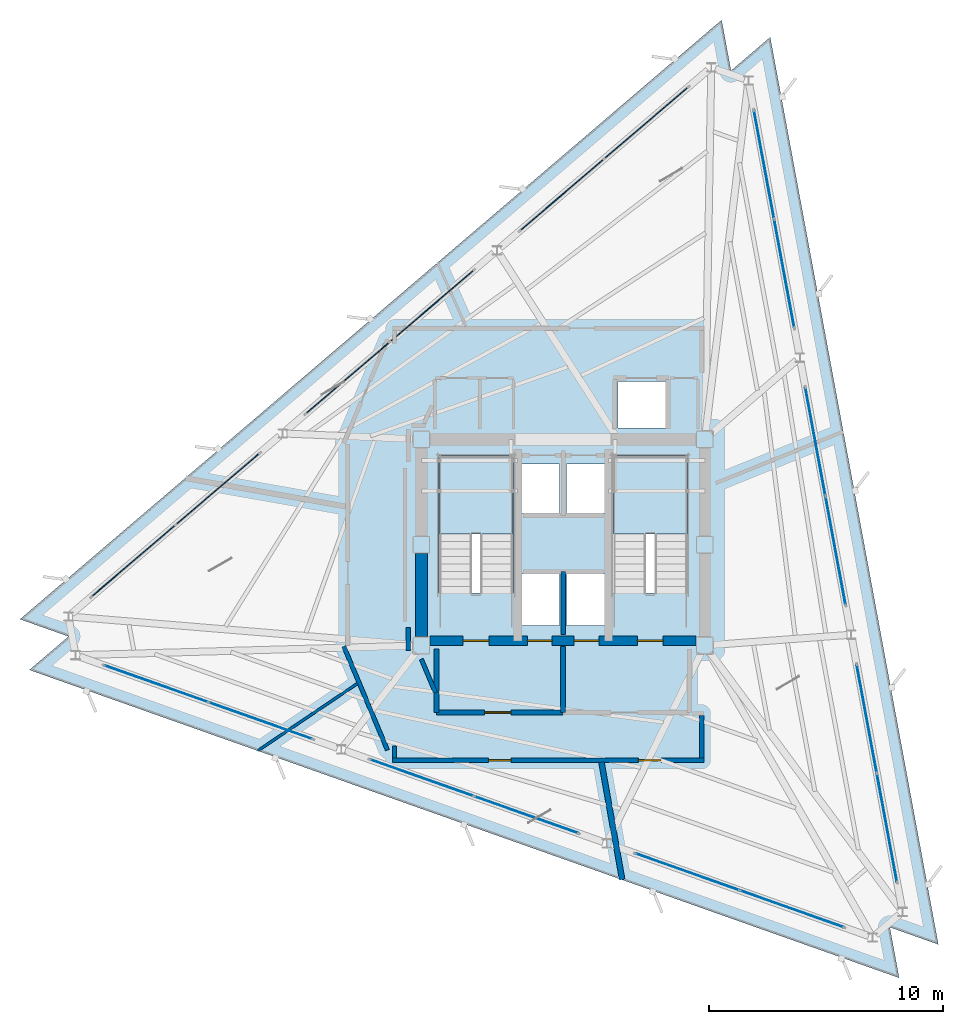
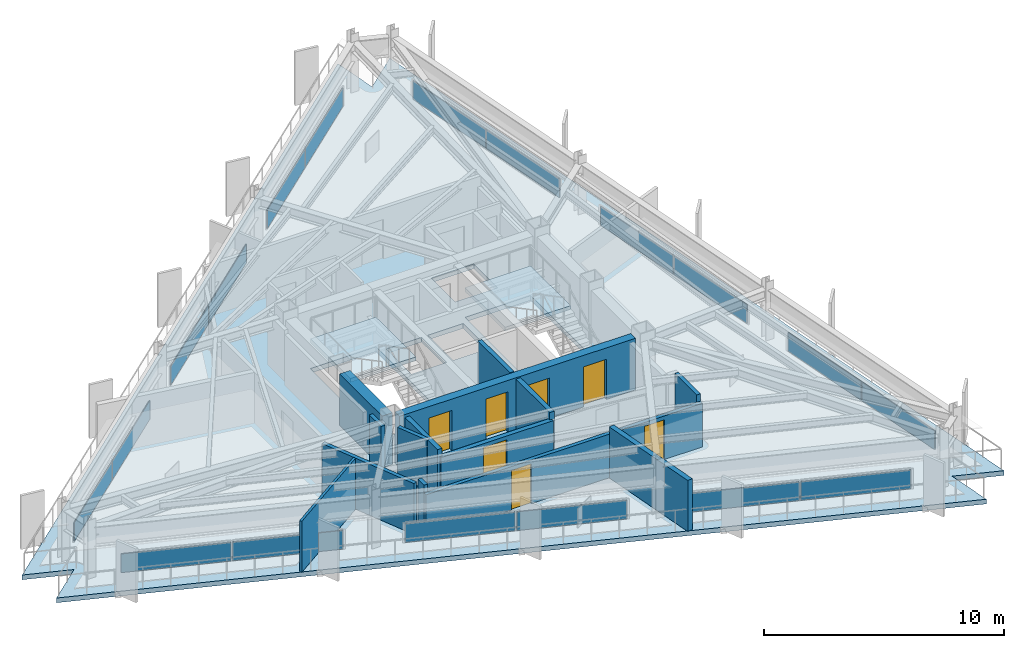
# One storey, part 8 of 14: 18 plates, 14 walls, 7 doors, 3 slabs, 7 openings, 11 elements without a shape of their own.
"""IFC4 building model written with IfcOpenShell, lengths in metres."""

from ifc_helpers import new_model, si_unit, direction, frame, frame_2d, origin, origin_2d, place, context, subcontext, project, spatial, polyline, rectangle, outline, extrude, material, layer, layer_set, type_object, element, fill, aggregate, save


model = new_model("IFC4")

# Units and contexts
model_context = context("Model", 3, precision=1e-05, world=origin(), true_north=direction((0.0, 1.0)))
body_context = subcontext(model_context, "Body", "Model", "MODEL_VIEW")
ifc_project = project(units=[si_unit("LENGTHUNIT", "METRE"), si_unit("AREAUNIT", "SQUARE_METRE"), si_unit("VOLUMEUNIT", "CUBIC_METRE"), si_unit("PLANEANGLEUNIT", "RADIAN"), si_unit("MASSUNIT", "GRAM", prefix="KILO")], contexts=[model_context])

# Site, building, storey
site_placement = place(None, origin())
site = spatial("IfcSite", under=ifc_project, at=site_placement, CompositionType="ELEMENT")
building_placement = place(site_placement, origin())
building = spatial("IfcBuilding", under=site, at=building_placement, Name="Rocaltana Carrier Exchange", CompositionType="ELEMENT")
storey_placement = place(building_placement, frame((0.0, 0.0, 190.56005859375)))
storey = spatial("IfcBuildingStorey", under=building, at=storey_placement, Name="L60", CompositionType="ELEMENT", Elevation=190.56005859375)

# Curtain wall, plates
ifc_material_1 = material(Name="Aluminium 6063-T6", Category="aluminium")
ifc_layer_1 = layer(ifc_material_1, 0.135009765625)
ifc_layer_set_1 = layer_set([ifc_layer_1], Name="Aluminium 6063-T6")
curtain_wall_type = type_object("IfcCurtainWallType", Name="Upper-Mid Acoustic Curtain Wall CW-04", PredefinedType="NOTDEFINED", material=ifc_layer_set_1)
curtain_wall_1_placement = place(storey_placement, origin())
curtain_wall_1 = element("IfcCurtainWall", 1, at=curtain_wall_1_placement, inside=storey, type_object=curtain_wall_type, Name="L60 CW-04 Run CW-L60-F1S1", PredefinedType="NOTDEFINED")
ifc_material_2 = material(Name="Tempered Laminated Glass", Category="glass")
ifc_layer_2 = layer(ifc_material_2, 0.0380859375)
ifc_layer_set_2 = layer_set([ifc_layer_2], Name="Tempered Laminated Glass")
plate_type = type_object("IfcPlateType", Name="CW-04 Stone-Insulated Vision Panel", PredefinedType="CURTAIN_PANEL", material=ifc_layer_set_2)
plate_1_placement = place(storey_placement, frame((13.827392578125, -12.0830078125, 0.06494140625), z_axis=(0.0, 0.0, 1.0), x_axis=(-0.182234247149, 0.98325514449, 0.0)))
plate_1 = element("IfcPlate", 2, at=plate_1_placement, type_object=plate_type, Name="CW-04 panel 1.1", PredefinedType="CURTAIN_PANEL", context=body_context, shape_type="SweptSolid", body=[
    extrude(rectangle(XDim=4.669189453125, YDim=0.0380859375, at=origin_2d()), origin(), (0.0, 0.0, 1.0), 0.947998046875),
])
plate_2_placement = place(storey_placement, frame((12.964599609375, -7.427978515625, 0.06494140625), z_axis=(0.0, 0.0, 1.0), x_axis=(-0.182234247149, 0.98325514449, 0.0)))
plate_2 = element("IfcPlate", 3, at=plate_2_placement, type_object=plate_type, Name="CW-04 panel 2.1", PredefinedType="CURTAIN_PANEL", context=body_context, shape_type="SweptSolid", body=[
    extrude(rectangle(XDim=4.669189453125, YDim=0.0380859375, at=origin_2d()), origin(), (0.0, 0.0, 1.0), 0.947998046875),
])
aggregate(curtain_wall_1, [plate_1, plate_2])

curtain_wall_2_placement = place(storey_placement, origin())
curtain_wall_2 = element("IfcCurtainWall", 4, at=curtain_wall_2_placement, inside=storey, type_object=curtain_wall_type, Name="L60 CW-04 Run CW-L60-F1S2", PredefinedType="NOTDEFINED")
plate_3_placement = place(storey_placement, frame((11.634521484375, -0.2509765625, 0.06494140625), z_axis=(0.0, 0.0, 1.0), x_axis=(-0.182236126712, 0.983254796134, 0.0)))
plate_3 = element("IfcPlate", 5, at=plate_3_placement, type_object=plate_type, Name="CW-04 panel 1.1", PredefinedType="CURTAIN_PANEL", context=body_context, shape_type="SweptSolid", body=[
    extrude(rectangle(XDim=4.669189453125, YDim=0.0380859375, at=origin_2d()), origin(), (0.0, 0.0, 1.0), 0.947998046875),
])
plate_4_placement = place(storey_placement, frame((10.771728515625, 4.40380859375, 0.06494140625), z_axis=(0.0, 0.0, 1.0), x_axis=(-0.182236126712, 0.983254796134, 0.0)))
plate_4 = element("IfcPlate", 6, at=plate_4_placement, type_object=plate_type, Name="CW-04 panel 2.1", PredefinedType="CURTAIN_PANEL", context=body_context, shape_type="SweptSolid", body=[
    extrude(rectangle(XDim=4.669189453125, YDim=0.0380859375, at=origin_2d()), origin(), (0.0, 0.0, 1.0), 0.947998046875),
])
aggregate(curtain_wall_2, [plate_3, plate_4])

curtain_wall_3_placement = place(storey_placement, origin())
curtain_wall_3 = element("IfcCurtainWall", 7, at=curtain_wall_3_placement, inside=storey, type_object=curtain_wall_type, Name="L60 CW-04 Run CW-L60-F1S3", PredefinedType="NOTDEFINED")
plate_5_placement = place(storey_placement, frame((9.441650390625, 11.580810546875, 0.06494140625), z_axis=(0.0, 0.0, 1.0), x_axis=(-0.182236126712, 0.983254796134, 0.0)))
plate_5 = element("IfcPlate", 8, at=plate_5_placement, type_object=plate_type, Name="CW-04 panel 1.1", PredefinedType="CURTAIN_PANEL", context=body_context, shape_type="SweptSolid", body=[
    extrude(rectangle(XDim=4.669189453125, YDim=0.0380859375, at=origin_2d()), origin(), (0.0, 0.0, 1.0), 0.947998046875),
])
plate_6_placement = place(storey_placement, frame((8.578857421875, 16.235595703125, 0.06494140625), z_axis=(0.0, 0.0, 1.0), x_axis=(-0.182236126712, 0.983254796134, 0.0)))
plate_6 = element("IfcPlate", 9, at=plate_6_placement, type_object=plate_type, Name="CW-04 panel 2.1", PredefinedType="CURTAIN_PANEL", context=body_context, shape_type="SweptSolid", body=[
    extrude(rectangle(XDim=4.669189453125, YDim=0.0380859375, at=origin_2d()), origin(), (0.0, 0.0, 1.0), 0.947998046875),
])
aggregate(curtain_wall_3, [plate_5, plate_6])

curtain_wall_4_placement = place(storey_placement, origin())
curtain_wall_4 = element("IfcCurtainWall", 10, at=curtain_wall_4_placement, inside=storey, type_object=curtain_wall_type, Name="L60 CW-04 Run CW-L60-F2S1", PredefinedType="NOTDEFINED")
plate_7_placement = place(storey_placement, frame((3.55029296875, 18.016357421875, 0.06494140625), z_axis=(0.0, 0.0, 1.0), x_axis=(-0.760406053922, -0.649447944918, 0.0)))
plate_7 = element("IfcPlate", 11, at=plate_7_placement, type_object=plate_type, Name="CW-04 panel 1.1", PredefinedType="CURTAIN_PANEL", context=body_context, shape_type="SweptSolid", body=[
    extrude(rectangle(XDim=4.669189453125, YDim=0.0380859375, at=origin_2d()), origin(), (0.0, 0.0, 1.0), 0.947998046875),
])
plate_8_placement = place(storey_placement, frame((-0.049560546875, 14.94189453125, 0.06494140625), z_axis=(0.0, 0.0, 1.0), x_axis=(-0.760406053922, -0.649447944918, 0.0)))
plate_8 = element("IfcPlate", 12, at=plate_8_placement, type_object=plate_type, Name="CW-04 panel 2.1", PredefinedType="CURTAIN_PANEL", context=body_context, shape_type="SweptSolid", body=[
    extrude(rectangle(XDim=4.669189453125, YDim=0.0380859375, at=origin_2d()), origin(), (0.0, 0.0, 1.0), 0.947998046875),
])
aggregate(curtain_wall_4, [plate_7, plate_8])

curtain_wall_5_placement = place(storey_placement, origin())
curtain_wall_5 = element("IfcCurtainWall", 13, at=curtain_wall_5_placement, inside=storey, type_object=curtain_wall_type, Name="L60 CW-04 Run CW-L60-F2S2", PredefinedType="NOTDEFINED")
plate_9_placement = place(storey_placement, frame((-5.599853515625, 10.201416015625, 0.06494140625), z_axis=(0.0, 0.0, 1.0), x_axis=(-0.760400873756, -0.649454010067, 0.0)))
plate_9 = element("IfcPlate", 14, at=plate_9_placement, type_object=plate_type, Name="CW-04 panel 1.1", PredefinedType="CURTAIN_PANEL", context=body_context, shape_type="SweptSolid", body=[
    extrude(rectangle(XDim=4.669189453125, YDim=0.0380859375, at=origin_2d()), origin(), (0.0, 0.0, 1.0), 0.947998046875),
])
plate_10_placement = place(storey_placement, frame((-9.19970703125, 7.126708984375, 0.06494140625), z_axis=(0.0, 0.0, 1.0), x_axis=(-0.760400873756, -0.649454010067, 0.0)))
plate_10 = element("IfcPlate", 15, at=plate_10_placement, type_object=plate_type, Name="CW-04 panel 2.1", PredefinedType="CURTAIN_PANEL", context=body_context, shape_type="SweptSolid", body=[
    extrude(rectangle(XDim=4.669189453125, YDim=0.0380859375, at=origin_2d()), origin(), (0.0, 0.0, 1.0), 0.947998046875),
])
aggregate(curtain_wall_5, [plate_9, plate_10])

curtain_wall_6_placement = place(storey_placement, origin())
curtain_wall_6 = element("IfcCurtainWall", 16, at=curtain_wall_6_placement, inside=storey, type_object=curtain_wall_type, Name="L60 CW-04 Run CW-L60-F2S3", PredefinedType="NOTDEFINED")
plate_11_placement = place(storey_placement, frame((-14.75, 2.38623046875, 0.06494140625), z_axis=(0.0, 0.0, 1.0), x_axis=(-0.760406053922, -0.649447944918, 0.0)))
plate_11 = element("IfcPlate", 17, at=plate_11_placement, type_object=plate_type, Name="CW-04 panel 1.1", PredefinedType="CURTAIN_PANEL", context=body_context, shape_type="SweptSolid", body=[
    extrude(rectangle(XDim=4.669189453125, YDim=0.0380859375, at=origin_2d()), origin(), (0.0, 0.0, 1.0), 0.947998046875),
])
plate_12_placement = place(storey_placement, frame((-18.349853515625, -0.688232421875, 0.06494140625), z_axis=(0.0, 0.0, 1.0), x_axis=(-0.760406053922, -0.649447944918, 0.0)))
plate_12 = element("IfcPlate", 18, at=plate_12_placement, type_object=plate_type, Name="CW-04 panel 2.1", PredefinedType="CURTAIN_PANEL", context=body_context, shape_type="SweptSolid", body=[
    extrude(rectangle(XDim=4.669189453125, YDim=0.0380859375, at=origin_2d()), origin(), (0.0, 0.0, 1.0), 0.947998046875),
])
aggregate(curtain_wall_6, [plate_11, plate_12])

curtain_wall_7_placement = place(storey_placement, origin())
curtain_wall_7 = element("IfcCurtainWall", 19, at=curtain_wall_7_placement, inside=storey, type_object=curtain_wall_type, Name="L60 CW-04 Run CW-L60-F3S1", PredefinedType="NOTDEFINED")
plate_13_placement = place(storey_placement, frame((-17.3779296875, -5.93359375, 0.06494140625), z_axis=(0.0, 0.0, 1.0), x_axis=(0.942645516582, -0.333795491383, 0.0)))
plate_13 = element("IfcPlate", 20, at=plate_13_placement, type_object=plate_type, Name="CW-04 panel 1.1", PredefinedType="CURTAIN_PANEL", context=body_context, shape_type="SweptSolid", body=[
    extrude(rectangle(XDim=4.669189453125, YDim=0.0380859375, at=origin_2d()), origin(), (0.0, 0.0, 1.0), 0.947998046875),
])
plate_14_placement = place(storey_placement, frame((-12.915283203125, -7.513671875, 0.06494140625), z_axis=(0.0, 0.0, 1.0), x_axis=(0.942645516582, -0.333795491383, 0.0)))
plate_14 = element("IfcPlate", 21, at=plate_14_placement, type_object=plate_type, Name="CW-04 panel 2.1", PredefinedType="CURTAIN_PANEL", context=body_context, shape_type="SweptSolid", body=[
    extrude(rectangle(XDim=4.669189453125, YDim=0.0380859375, at=origin_2d()), origin(), (0.0, 0.0, 1.0), 0.947998046875),
])
aggregate(curtain_wall_7, [plate_13, plate_14])

curtain_wall_8_placement = place(storey_placement, origin())
curtain_wall_8 = element("IfcCurtainWall", 22, at=curtain_wall_8_placement, inside=storey, type_object=curtain_wall_type, Name="L60 CW-04 Run CW-L60-F3S2", PredefinedType="NOTDEFINED")
plate_15_placement = place(storey_placement, frame((-6.03466796875, -9.9501953125, 0.06494140625), z_axis=(0.0, 0.0, 1.0), x_axis=(0.942644347833, -0.333798791936, 0.0)))
plate_15 = element("IfcPlate", 23, at=plate_15_placement, type_object=plate_type, Name="CW-04 panel 1.1", PredefinedType="CURTAIN_PANEL", context=body_context, shape_type="SweptSolid", body=[
    extrude(rectangle(XDim=4.669189453125, YDim=0.0380859375, at=origin_2d()), origin(), (0.0, 0.0, 1.0), 0.947998046875),
])
plate_16_placement = place(storey_placement, frame((-1.572021484375, -11.530517578125, 0.06494140625), z_axis=(0.0, 0.0, 1.0), x_axis=(0.942644347833, -0.333798791936, 0.0)))
plate_16 = element("IfcPlate", 24, at=plate_16_placement, type_object=plate_type, Name="CW-04 panel 2.1", PredefinedType="CURTAIN_PANEL", context=body_context, shape_type="SweptSolid", body=[
    extrude(rectangle(XDim=4.669189453125, YDim=0.0380859375, at=origin_2d()), origin(), (0.0, 0.0, 1.0), 0.947998046875),
])
aggregate(curtain_wall_8, [plate_15, plate_16])

curtain_wall_9_placement = place(storey_placement, origin())
curtain_wall_9 = element("IfcCurtainWall", 25, at=curtain_wall_9_placement, inside=storey, type_object=curtain_wall_type, Name="L60 CW-04 Run CW-L60-F3S3", PredefinedType="NOTDEFINED")
plate_17_placement = place(storey_placement, frame((5.308349609375, -13.967041015625, 0.06494140625), z_axis=(0.0, 0.0, 1.0), x_axis=(0.942644347833, -0.333798791936, 0.0)))
plate_17 = element("IfcPlate", 26, at=plate_17_placement, type_object=plate_type, Name="CW-04 panel 1.1", PredefinedType="CURTAIN_PANEL", context=body_context, shape_type="SweptSolid", body=[
    extrude(rectangle(XDim=4.669189453125, YDim=0.0380859375, at=origin_2d()), origin(), (0.0, 0.0, 1.0), 0.947998046875),
])
plate_18_placement = place(storey_placement, frame((9.77099609375, -15.54736328125, 0.06494140625), z_axis=(0.0, 0.0, 1.0), x_axis=(0.942644347833, -0.333798791936, 0.0)))
plate_18 = element("IfcPlate", 27, at=plate_18_placement, type_object=plate_type, Name="CW-04 panel 2.1", PredefinedType="CURTAIN_PANEL", context=body_context, shape_type="SweptSolid", body=[
    extrude(rectangle(XDim=4.669189453125, YDim=0.0380859375, at=origin_2d()), origin(), (0.0, 0.0, 1.0), 0.947998046875),
])
aggregate(curtain_wall_9, [plate_17, plate_18])

# Slab
ifc_material_3 = material(Name="Concrete C50/60", Category="concrete")
ifc_layer_3 = layer(ifc_material_3, 0.239990234375)
ifc_layer_set_3 = layer_set([ifc_layer_3], Name="Concrete C50/60")
slab_type_1 = type_object("IfcSlabType", Name="High-Zone Tower Slab 240", PredefinedType="FLOOR", material=ifc_layer_set_3)
slab_1_placement = place(storey_placement, frame((0.0, 0.0, -0.239990234375)))
element("IfcSlab", 28, at=slab_1_placement, inside=storey, type_object=slab_type_1, Name="L60 Structural Floor Slab", PredefinedType="FLOOR", context=body_context, shape_type="SweptSolid", body=[
    extrude(outline(polyline([(14.349365234375, -18.49462890625), (13.948486328125, -16.33154296875), (16.022216796875, -17.06591796875), (8.84228515625, 21.67431640625), (7.169189453125, 20.24560546875), (6.768310546875, 22.40869140625), (-23.191650390625, -3.1796875), (-21.117919921875, -3.9140625), (-22.790771484375, -5.3427734375), (14.349365234375, -18.49462890625)]), holes=[polyline([(-5.300048828125, -2.06005859375), (-2.139892578125, -2.06005859375), (-2.139892578125, 3.800048828125), (-5.300048828125, 3.800048828125), (-5.300048828125, -2.06005859375)]), polyline([(2.139892578125, -2.06005859375), (5.300048828125, -2.06005859375), (5.300048828125, 3.800048828125), (2.139892578125, 3.800048828125), (2.139892578125, -2.06005859375)]), polyline([(-1.85009765625, -3.449951171875), (-0.14990234375, -3.449951171875), (-0.14990234375, -1.25), (-1.85009765625, -1.25), (-1.85009765625, -3.449951171875)]), polyline([(0.14990234375, -3.449951171875), (1.85009765625, -3.449951171875), (1.85009765625, -1.25), (0.14990234375, -1.25), (0.14990234375, -3.449951171875)]), polyline([(2.35009765625, 4.97998046875), (4.39990234375, 4.97998046875), (4.39990234375, 6.97998046875), (2.35009765625, 6.97998046875), (2.35009765625, 4.97998046875)]), polyline([(-1.85009765625, 1.35009765625), (-0.14990234375, 1.35009765625), (-0.14990234375, 3.449951171875), (-1.85009765625, 3.449951171875), (-1.85009765625, 1.35009765625)]), polyline([(0.14990234375, 1.35009765625), (1.85009765625, 1.35009765625), (1.85009765625, 3.449951171875), (0.14990234375, 3.449951171875), (0.14990234375, 1.35009765625)])]), origin(), (0.0, 0.0, 1.0), 0.239990234375),
])

# Stair, slab
ifc_material_4 = material(Name="Precast concrete C45/55", Category="concrete")
stair_type = type_object("IfcStairType", Name="Standard Dog-Leg Stair 160", PredefinedType="HALF_TURN_STAIR", material=ifc_material_4)
stair_1_placement = place(storey_placement, origin())
stair_1 = element("IfcStair", 29, at=stair_1_placement, inside=storey, type_object=stair_type, Name="L60 Core West Exit Stair ST-1", PredefinedType="HALF_TURN_STAIR")
ifc_material_5 = material(Name="Precast concrete C45/55", Category="concrete")
ifc_layer_4 = layer(ifc_material_5, 0.199951171875)
ifc_layer_set_4 = layer_set([ifc_layer_4], Name="Precast concrete C45/55")
slab_type_2 = type_object("IfcSlabType", Name="Precast Stair Half-Landing 200", PredefinedType="LANDING", material=ifc_layer_set_4)
slab_2_placement = place(storey_placement, frame((0.0, 0.0, 1.31982421875)))
slab_2 = element("IfcSlab", 30, at=slab_2_placement, type_object=slab_type_2, Name="ST-1 landing 1", PredefinedType="LANDING", context=body_context, shape_type="SweptSolid", body=[
    extrude(outline(polyline([(-2.139892578125, 0.4599609375), (-2.139892578125, 3.800048828125), (-5.300048828125, 3.800048828125), (-5.300048828125, 0.4599609375), (-2.139892578125, 0.4599609375)])), origin(), (0.0, 0.0, 1.0), 0.2001953125),
])
aggregate(stair_1, [slab_2])

stair_2_placement = place(storey_placement, origin())
stair_2 = element("IfcStair", 31, at=stair_2_placement, inside=storey, type_object=stair_type, Name="L60 Core East Exit Stair ST-2", PredefinedType="HALF_TURN_STAIR")
slab_3_placement = place(storey_placement, frame((0.0, 0.0, 1.31982421875)))
slab_3 = element("IfcSlab", 32, at=slab_3_placement, type_object=slab_type_2, Name="ST-2 landing 1", PredefinedType="LANDING", context=body_context, shape_type="SweptSolid", body=[
    extrude(outline(polyline([(5.300048828125, 0.4599609375), (5.300048828125, 3.800048828125), (2.139892578125, 3.800048828125), (2.139892578125, 0.4599609375), (5.300048828125, 0.4599609375)])), origin(), (0.0, 0.0, 1.0), 0.2001953125),
])
aggregate(stair_2, [slab_3])

# Wall, openings, doors
ifc_material_6 = material(Name="Concrete C50/60", Category="concrete")
ifc_layer_5 = layer(ifc_material_6, 0.39990234375)
ifc_layer_set_5 = layer_set([ifc_layer_5], Name="Concrete C50/60")
wall_type_1 = type_object("IfcWallType", Name="Core Internal Shear Wall 400", PredefinedType="SHEAR", material=ifc_layer_set_5)
wall_1_placement = place(storey_placement, frame((-5.675048828125, -4.10009765625, 0.0), z_axis=(0.0, 0.0, 1.0), x_axis=(1.0, 0.0, 0.0)))
wall_1 = element("IfcWall", 33, at=wall_1_placement, inside=storey, type_object=wall_type_1, Name="L60 Core Shear Wall CW-S", PredefinedType="SHEAR", context=body_context, shape_type="SweptSolid", body=[
    extrude(rectangle(XDim=11.35009765625, YDim=0.39990234375, at=frame_2d((5.675048828125, 0.0))), origin(), (0.0, 0.0, 1.0), 2.617919921875),
])
opening_1_placement = place(wall_1_placement, frame((1.405029296875, 0.0, 0.0)))
opening_1 = element("IfcOpeningElement", 34, at=opening_1_placement, cuts=wall_1, Name="Opening D-ST110", PredefinedType="OPENING", context=body_context, shape_type="SweptSolid", body=[
    extrude(rectangle(XDim=1.10009765625, YDim=2.0400390625, at=frame_2d((0.550048828125, 1.02001953125))), frame((0.0, 0.2099609375, 0.0), z_axis=(0.0, -1.0, 0.0), x_axis=(1.0, 0.0, 0.0)), (0.0, 0.0, 1.0), 0.419921875),
])
opening_2_placement = place(wall_1_placement, frame((8.844970703125, 0.0, 0.0)))
opening_2 = element("IfcOpeningElement", 35, at=opening_2_placement, cuts=wall_1, Name="Opening D-ST110", PredefinedType="OPENING", context=body_context, shape_type="SweptSolid", body=[
    extrude(rectangle(XDim=1.10009765625, YDim=2.0400390625, at=frame_2d((0.550048828125, 1.02001953125))), frame((0.0, 0.2099609375, 0.0), z_axis=(0.0, -1.0, 0.0), x_axis=(1.0, 0.0, 0.0)), (0.0, 0.0, 1.0), 0.419921875),
])
opening_3_placement = place(wall_1_placement, frame((4.14501953125, 0.0, 0.0)))
opening_3 = element("IfcOpeningElement", 36, at=opening_3_placement, cuts=wall_1, Name="Opening LD-110", PredefinedType="OPENING", context=body_context, shape_type="SweptSolid", body=[
    extrude(rectangle(XDim=1.06005859375, YDim=2.0400390625, at=frame_2d((0.530029296875, 1.02001953125))), frame((0.0, 0.2099609375, 0.0), z_axis=(0.0, -1.0, 0.0), x_axis=(1.0, 0.0, 0.0)), (0.0, 0.0, 1.0), 0.419921875),
])
opening_4_placement = place(wall_1_placement, frame((6.14501953125, 0.0, 0.0)))
opening_4 = element("IfcOpeningElement", 37, at=opening_4_placement, cuts=wall_1, Name="Opening LD-110", PredefinedType="OPENING", context=body_context, shape_type="SweptSolid", body=[
    extrude(rectangle(XDim=1.06005859375, YDim=2.0400390625, at=frame_2d((0.530029296875, 1.02001953125))), frame((0.0, 0.2099609375, 0.0), z_axis=(0.0, -1.0, 0.0), x_axis=(1.0, 0.0, 0.0)), (0.0, 0.0, 1.0), 0.419921875),
])
ifc_material_7 = material(Name="Hollow Metal Fire Door Assembly", Category="steel")
door_type_1 = type_object("IfcDoorType", Name="Exit Stair Fire Door 1100x2040 FD90S", OperationType="NOTDEFINED", PredefinedType="DOOR", material=ifc_material_7)
door_1_placement = place(opening_1_placement, origin())
door_1 = element("IfcDoor", 38, at=door_1_placement, inside=storey, type_object=door_type_1, Name="L60 Exit Stair ST1 Fire Door", OperationType="SINGLE_SWING_RIGHT", OverallHeight=2.0400390625, OverallWidth=1.10009765625, PredefinedType="DOOR", context=body_context, shape_type="SweptSolid", body=[
    extrude(rectangle(XDim=1.10009765625, YDim=2.0400390625, at=frame_2d((0.550048828125, 1.02001953125))), frame((0.0, 0.02490234375, 0.0), z_axis=(0.0, -1.0, 0.0), x_axis=(1.0, 0.0, 0.0)), (0.0, 0.0, 1.0), 0.050048828125),
])
fill(opening_1, door_1)
door_2_placement = place(opening_2_placement, origin())
door_2 = element("IfcDoor", 39, at=door_2_placement, inside=storey, type_object=door_type_1, Name="L60 Exit Stair ST2 Fire Door", OperationType="SINGLE_SWING_LEFT", OverallHeight=2.0400390625, OverallWidth=1.10009765625, PredefinedType="DOOR", context=body_context, shape_type="SweptSolid", body=[
    extrude(rectangle(XDim=1.10009765625, YDim=2.0400390625, at=frame_2d((0.550048828125, 1.02001953125))), frame((0.0, 0.02490234375, 0.0), z_axis=(0.0, -1.0, 0.0), x_axis=(1.0, 0.0, 0.0)), (0.0, 0.0, 1.0), 0.050048828125),
])
fill(opening_2, door_2)
ifc_material_8 = material(Name="Brushed Stainless Sliding Door Leaf", Category="steel")
door_type_2 = type_object("IfcDoorType", Name="Lift Landing Sliding Door 1060x2040", OperationType="NOTDEFINED", PredefinedType="DOOR", material=ifc_material_8)
door_3_placement = place(opening_3_placement, origin())
door_3 = element("IfcDoor", 40, at=door_3_placement, inside=storey, type_object=door_type_2, Name="L60 Firefighting Lift FFL1 Landing Door", OperationType="SLIDING_TO_LEFT", OverallHeight=2.0400390625, OverallWidth=1.06005859375, PredefinedType="DOOR", context=body_context, shape_type="SweptSolid", body=[
    extrude(rectangle(XDim=1.06005859375, YDim=2.0400390625, at=frame_2d((0.530029296875, 1.02001953125))), frame((0.0, 0.02490234375, 0.0), z_axis=(0.0, -1.0, 0.0), x_axis=(1.0, 0.0, 0.0)), (0.0, 0.0, 1.0), 0.050048828125),
])
fill(opening_3, door_3)
door_4_placement = place(opening_4_placement, origin())
door_4 = element("IfcDoor", 41, at=door_4_placement, inside=storey, type_object=door_type_2, Name="L60 Firefighting Lift FFL2 Landing Door", OperationType="SLIDING_TO_RIGHT", OverallHeight=2.0400390625, OverallWidth=1.06005859375, PredefinedType="DOOR", context=body_context, shape_type="SweptSolid", body=[
    extrude(rectangle(XDim=1.06005859375, YDim=2.0400390625, at=frame_2d((0.530029296875, 1.02001953125))), frame((0.0, 0.02490234375, 0.0), z_axis=(0.0, -1.0, 0.0), x_axis=(1.0, 0.0, 0.0)), (0.0, 0.0, 1.0), 0.050048828125),
])
fill(opening_4, door_4)

# Walls
ifc_material_9 = material(Name="Concrete C50/60", Category="concrete")
ifc_layer_6 = layer(ifc_material_9, 0.5)
ifc_layer_set_6 = layer_set([ifc_layer_6], Name="Concrete C50/60")
wall_type_2 = type_object("IfcWallType", Name="Core Shear Wall 500", PredefinedType="SHEAR", material=ifc_layer_set_6)
wall_2_placement = place(storey_placement, frame((-6.050048828125, -3.925048828125, 0.0), z_axis=(0.0, 0.0, 1.0), x_axis=(0.0, 1.0, 0.0)))
element("IfcWall", 42, at=wall_2_placement, inside=storey, type_object=wall_type_2, Name="L60 Core Shear Wall CW-WS", PredefinedType="SHEAR", context=body_context, shape_type="SweptSolid", body=[
    extrude(rectangle(XDim=3.550048828125, YDim=0.5, at=frame_2d((1.77490234375, 0.0))), origin(), (0.0, 0.0, 1.0), 2.617919921875),
])
ifc_material_10 = material(Name="Gypsum & Steel Stud Partition", Category="steel")
ifc_layer_7 = layer(ifc_material_10, 0.179931640625)
ifc_layer_set_7 = layer_set([ifc_layer_7], Name="Gypsum & Steel Stud Partition")
wall_type_3 = type_object("IfcWallType", Name="Corridor Fire Partition 180 EI60", PredefinedType="PARTITIONING", material=ifc_layer_set_7)
wall_3_placement = place(storey_placement, frame((-7.501220703125, -8.768798828125, 0.0), z_axis=(0.0, 0.0, 1.0), x_axis=(-0.387573945081, 0.921838617706, 0.0)))
element("IfcWall", 43, at=wall_3_placement, inside=storey, type_object=wall_type_3, Name="L60 Corridor Partition 1", PredefinedType="PARTITIONING", context=body_context, shape_type="SweptSolid", body=[
    extrude(rectangle(XDim=4.813232421875, YDim=0.179931640625, at=frame_2d((2.40673828125, 0.0))), origin(), (0.0, 0.0, 1.0), 2.593017578125),
])
wall_4_placement = place(storey_placement, frame((-6.610107421875, -3.541259765625, 0.0), z_axis=(0.0, 0.0, 1.0), x_axis=(0.0, -1.0, 0.0)))
element("IfcWall", 44, at=wall_4_placement, inside=storey, type_object=wall_type_3, Name="L60 Corridor Partition 12", PredefinedType="PARTITIONING", context=body_context, shape_type="SweptSolid", body=[
    extrude(rectangle(XDim=0.978759765625, YDim=0.179931640625, at=frame_2d((0.4892578125, 0.0))), origin(), (0.0, 0.0, 1.0), 2.593017578125),
])
wall_5_placement = place(storey_placement, frame((-6.0546875, -4.881591796875, 0.0), z_axis=(0.0, 0.0, 1.0), x_axis=(0.387579540458, -0.921836265189, 0.0)))
element("IfcWall", 45, at=wall_5_placement, inside=storey, type_object=wall_type_3, Name="L60 Corridor Partition 13", PredefinedType="PARTITIONING", context=body_context, shape_type="SweptSolid", body=[
    extrude(rectangle(XDim=1.5546875, YDim=0.179931640625, at=frame_2d((0.77734375, 0.0))), origin(), (0.0, 0.0, 1.0), 2.593017578125),
])
wall_6_placement = place(storey_placement, frame((5.919921875, -7.2900390625, 0.0), z_axis=(0.0, 0.0, 1.0), x_axis=(0.0, -1.0, 0.0)))
element("IfcWall", 46, at=wall_6_placement, inside=storey, type_object=wall_type_3, Name="L60 Corridor Partition 15", PredefinedType="PARTITIONING", context=body_context, shape_type="SweptSolid", body=[
    extrude(rectangle(XDim=1.820068359375, YDim=0.179931640625, at=frame_2d((0.91015625, 0.0))), origin(), (0.0, 0.0, 1.0), 2.593017578125),
])

# Wall, openings, doors
wall_7_placement = place(storey_placement, frame((6.010009765625, -9.199951171875, 0.0), z_axis=(0.0, 0.0, 1.0), x_axis=(-1.0, 0.0, 0.0)))
wall_7 = element("IfcWall", 47, at=wall_7_placement, inside=storey, type_object=wall_type_3, Name="L60 Corridor Partition 16", PredefinedType="PARTITIONING", context=body_context, shape_type="SweptSolid", body=[
    extrude(rectangle(XDim=13.300048828125, YDim=0.179931640625, at=frame_2d((6.64990234375, 0.0))), origin(), (0.0, 0.0, 1.0), 2.21484375),
])
opening_5_placement = place(wall_7_placement, frame((8.227294921875, 0.0, 0.0)))
opening_5 = element("IfcOpeningElement", 48, at=opening_5_placement, cuts=wall_7, Name="Opening D-RM098", PredefinedType="OPENING", context=body_context, shape_type="SweptSolid", body=[
    extrude(rectangle(XDim=0.9599609375, YDim=2.02001953125, at=frame_2d((0.47998046875, 1.010009765625))), frame((0.0, 0.099853515625, 0.0), z_axis=(0.0, -1.0, 0.0), x_axis=(1.0, 0.0, 0.0)), (0.0, 0.0, 1.0), 0.199951171875),
])
opening_6_placement = place(wall_7_placement, frame((1.83642578125, 0.0, 0.0)))
opening_6 = element("IfcOpeningElement", 49, at=opening_6_placement, cuts=wall_7, Name="Opening D-RM098", PredefinedType="OPENING", context=body_context, shape_type="SweptSolid", body=[
    extrude(rectangle(XDim=0.9599609375, YDim=2.02001953125, at=frame_2d((0.47998046875, 1.010009765625))), frame((0.0, 0.099853515625, 0.0), z_axis=(0.0, -1.0, 0.0), x_axis=(1.0, 0.0, 0.0)), (0.0, 0.0, 1.0), 0.199951171875),
])
ifc_material_11 = material(Name="Engineered Hardwood Timber", Category="wood")
door_type_3 = type_object("IfcDoorType", Name="Workspace Single Door 960x2020", OperationType="NOTDEFINED", PredefinedType="DOOR", material=ifc_material_11)
door_5_placement = place(opening_5_placement, origin())
door_5 = element("IfcDoor", 50, at=door_5_placement, inside=storey, type_object=door_type_3, Name="L60 Network Operations Office Entrance Door", OperationType="SINGLE_SWING_RIGHT", OverallHeight=2.02001953125, OverallWidth=0.9599609375, PredefinedType="DOOR", context=body_context, shape_type="SweptSolid", body=[
    extrude(rectangle(XDim=0.9599609375, YDim=2.02001953125, at=frame_2d((0.47998046875, 1.010009765625))), frame((0.0, 0.02490234375, 0.0), z_axis=(0.0, -1.0, 0.0), x_axis=(1.0, 0.0, 0.0)), (0.0, 0.0, 1.0), 0.050048828125),
])
fill(opening_5, door_5)
door_6_placement = place(opening_6_placement, origin())
door_6 = element("IfcDoor", 51, at=door_6_placement, inside=storey, type_object=door_type_3, Name="L60 Cloud Architecture Office Entrance Door", OperationType="SINGLE_SWING_LEFT", OverallHeight=2.02001953125, OverallWidth=0.9599609375, PredefinedType="DOOR", context=body_context, shape_type="SweptSolid", body=[
    extrude(rectangle(XDim=0.9599609375, YDim=2.02001953125, at=frame_2d((0.47998046875, 1.010009765625))), frame((0.0, 0.02490234375, 0.0), z_axis=(0.0, -1.0, 0.0), x_axis=(1.0, 0.0, 0.0)), (0.0, 0.0, 1.0), 0.050048828125),
])
fill(opening_6, door_6)

# Walls
wall_8_placement = place(storey_placement, frame((-7.199951171875, -9.110107421875, 0.0), z_axis=(0.0, 0.0, 1.0), x_axis=(0.0, 1.0, 0.0)))
element("IfcWall", 52, at=wall_8_placement, inside=storey, type_object=wall_type_3, Name="L60 Corridor Partition 17", PredefinedType="PARTITIONING", context=body_context, shape_type="SweptSolid", body=[
    extrude(rectangle(XDim=0.509521484375, YDim=0.179931640625, at=frame_2d((0.2548828125, 0.0))), origin(), (0.0, 0.0, 1.0), 2.593017578125),
])
ifc_material_12 = material(Name="Aluminium 6063-T6 & Acoustic Glass", Category="aluminium")
ifc_layer_8 = layer(ifc_material_12, 0.114990234375)
ifc_layer_set_8 = layer_set([ifc_layer_8], Name="Aluminium 6063-T6 & Acoustic Glass")
wall_type_4 = type_object("IfcWallType", Name="Demountable Glazed Lab Partition 115", PredefinedType="MOVABLE", material=ifc_layer_set_8)
wall_9_placement = place(storey_placement, frame((-8.78369140625, -5.9248046875, 0.0), z_axis=(0.0, 0.0, 1.0), x_axis=(-0.829060822753, -0.559158432089, 0.0)))
element("IfcWall", 53, at=wall_9_placement, inside=storey, type_object=wall_type_4, Name="L60 Suite Divider Wall D1", PredefinedType="MOVABLE", context=body_context, shape_type="SweptSolid", body=[
    extrude(rectangle(XDim=5.12158203125, YDim=0.114990234375, at=frame_2d((2.560791015625, 0.0))), origin(), (0.0, 0.0, 1.0), 2.593017578125),
])
ifc_material_13 = material(Name="Autoclaved Aerated Concrete C30/37", Category="concrete")
ifc_layer_9 = layer(ifc_material_13, 0.219970703125)
ifc_layer_set_9 = layer_set([ifc_layer_9], Name="Autoclaved Aerated Concrete C30/37")
wall_type_5 = type_object("IfcWallType", Name="Firefighting Lobby Wall 220 EI120", PredefinedType="PARTITIONING", material=ifc_layer_set_9)
wall_10_placement = place(storey_placement, frame((-5.39990234375, -7.159912109375, 0.0), z_axis=(0.0, 0.0, 1.0), x_axis=(0.0, 1.0, 0.0)))
element("IfcWall", 54, at=wall_10_placement, inside=storey, type_object=wall_type_5, Name="L60 FFL Lobby 1 West Wall", PredefinedType="PARTITIONING", context=body_context, shape_type="SweptSolid", body=[
    extrude(rectangle(XDim=2.7099609375, YDim=0.219970703125, at=frame_2d((1.35498046875, 0.0))), origin(), (0.0, 0.0, 1.0), 2.593017578125),
])
wall_11_placement = place(storey_placement, frame((0.0, -7.159912109375, 0.0), z_axis=(0.0, 0.0, 1.0), x_axis=(0.0, 1.0, 0.0)))
element("IfcWall", 55, at=wall_11_placement, inside=storey, type_object=wall_type_5, Name="L60 FFL Lobby Centre Wall", PredefinedType="PARTITIONING", context=body_context, shape_type="SweptSolid", body=[
    extrude(rectangle(XDim=2.809814453125, YDim=0.219970703125, at=frame_2d((1.40478515625, 0.0))), origin(), (0.0, 0.0, 1.0), 2.593017578125),
])

# Wall, opening, door
wall_12_placement = place(storey_placement, frame((-5.39990234375, -7.159912109375, 0.0), z_axis=(0.0, 0.0, 1.0), x_axis=(1.0, 0.0, 0.0)))
wall_12 = element("IfcWall", 56, at=wall_12_placement, inside=storey, type_object=wall_type_5, Name="L60 FFL Lobby 1 South Wall", PredefinedType="PARTITIONING", context=body_context, shape_type="SweptSolid", body=[
    extrude(rectangle(XDim=5.39990234375, YDim=0.219970703125, at=frame_2d((2.699951171875, 0.0))), origin(), (0.0, 0.0, 1.0), 2.21484375),
])
opening_7_placement = place(wall_12_placement, frame((2.050048828125, 0.0, 0.0)))
opening_7 = element("IfcOpeningElement", 57, at=opening_7_placement, cuts=wall_12, Name="Opening D-FF115", PredefinedType="OPENING", context=body_context, shape_type="SweptSolid", body=[
    extrude(rectangle(XDim=1.1201171875, YDim=2.02001953125, at=frame_2d((0.56005859375, 1.010009765625))), frame((0.0, 0.119873046875, 0.0), z_axis=(0.0, -1.0, 0.0), x_axis=(1.0, 0.0, 0.0)), (0.0, 0.0, 1.0), 0.239990234375),
])
ifc_material_14 = material(Name="Hollow Metal Fire Door Assembly", Category="steel")
door_type_4 = type_object("IfcDoorType", Name="Firefighting Lobby Door 1120x2020 FD60S", OperationType="NOTDEFINED", PredefinedType="DOOR", material=ifc_material_14)
door_7_placement = place(opening_7_placement, origin())
door_7 = element("IfcDoor", 58, at=door_7_placement, inside=storey, type_object=door_type_4, Name="L60 Firefighting Lift Lobby 1 Door", OperationType="SINGLE_SWING_RIGHT", OverallHeight=2.02001953125, OverallWidth=1.1201171875, PredefinedType="DOOR", context=body_context, shape_type="SweptSolid", body=[
    extrude(rectangle(XDim=1.1201171875, YDim=2.02001953125, at=frame_2d((0.56005859375, 1.010009765625))), frame((0.0, 0.02490234375, 0.0), z_axis=(0.0, -1.0, 0.0), x_axis=(1.0, 0.0, 0.0)), (0.0, 0.0, 1.0), 0.050048828125),
])
fill(opening_7, door_7)

# Walls
ifc_material_15 = material(Name="Acoustic Calcium Silicate Partition", Category="gypsum")
ifc_layer_10 = layer(ifc_material_15, 0.239990234375)
ifc_layer_set_10 = layer_set([ifc_layer_10], Name="Acoustic Calcium Silicate Partition")
wall_type_6 = type_object("IfcWallType", Name="Heavy Lab Partition 240 EI90", PredefinedType="PARTITIONING", material=ifc_layer_set_10)
wall_13_placement = place(storey_placement, frame((1.63623046875, -9.280029296875, 0.0), z_axis=(0.0, 0.0, 1.0), x_axis=(0.173634919368, -0.984810090716, 0.0)))
element("IfcWall", 59, at=wall_13_placement, inside=storey, type_object=wall_type_6, Name="L60 Suite Divider Wall D2", PredefinedType="PARTITIONING", context=body_context, shape_type="SweptSolid", body=[
    extrude(rectangle(XDim=5.0927734375, YDim=0.239990234375, at=frame_2d((2.54638671875, 0.0))), origin(), (0.0, 0.0, 1.0), 2.593017578125),
])
ifc_material_16 = material(Name="Reinforced Concrete Block C35/45", Category="concrete")
ifc_layer_11 = layer(ifc_material_16, 0.199951171875)
ifc_layer_set_11 = layer_set([ifc_layer_11], Name="Reinforced Concrete Block C35/45")
wall_type_7 = type_object("IfcWallType", Name="Lift Hoistway Enclosure Wall 200 EI120", PredefinedType="PARTITIONING", material=ifc_layer_set_11)
wall_14_placement = place(storey_placement, frame((0.0, -3.820068359375, 0.0), z_axis=(0.0, 0.0, 1.0), x_axis=(0.0, 1.0, 0.0)))
element("IfcWall", 60, at=wall_14_placement, inside=storey, type_object=wall_type_7, Name="L60 FFL Shaft Divider", PredefinedType="PARTITIONING", context=body_context, shape_type="SweptSolid", body=[
    extrude(rectangle(XDim=2.670166015625, YDim=0.199951171875, at=frame_2d((1.3349609375, 0.0))), origin(), (0.0, 0.0, 1.0), 2.593017578125),
])

save(model, "model.ifc")
